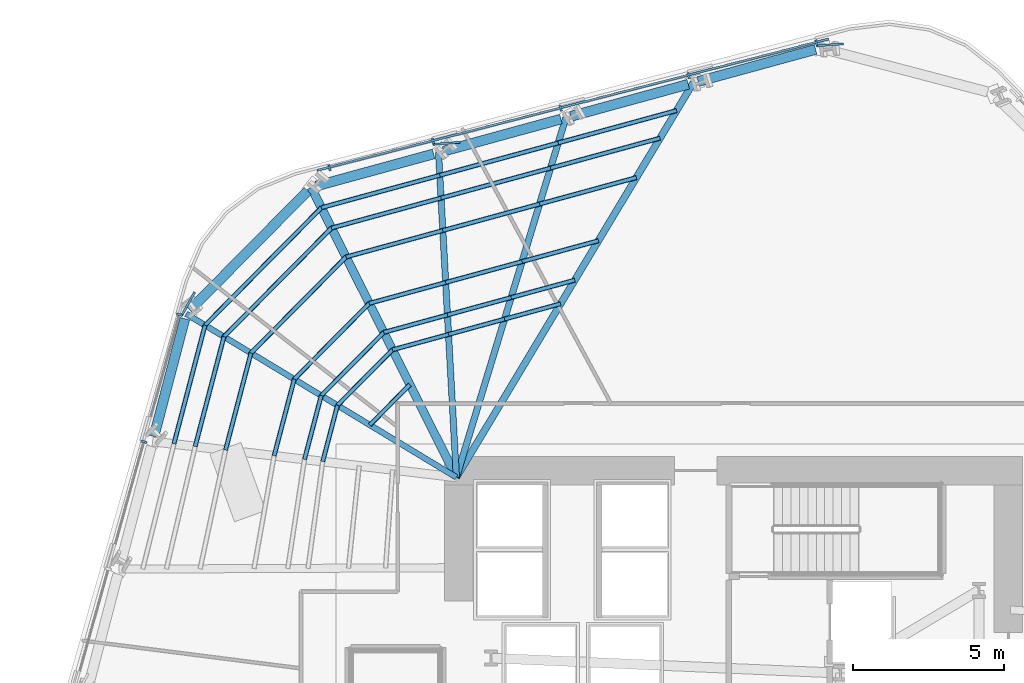
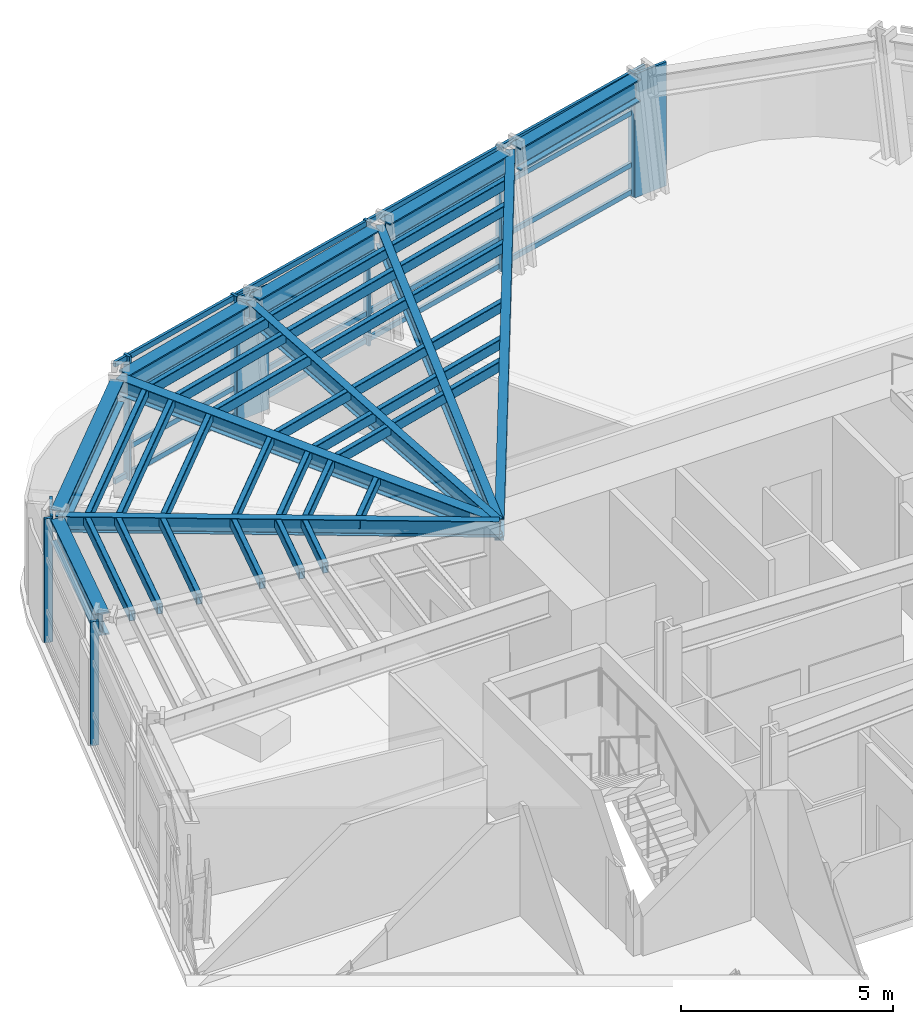
# One storey, part 6 of 17: 45 members, 11 beams, 2 elements without a shape of their own.
"""IFC4 building model written with IfcOpenShell, lengths in metres."""

from ifc_helpers import new_model, si_unit, direction, frame, origin, origin_2d, place, context, subcontext, project, spatial, rectangle, hollow_rectangle, i_section, extrude, material, layer, layer_set, material_profile, profile_set, type_object, element, aggregate, save


model = new_model("IFC4")

# Units and contexts
model_context = context("Model", 3, precision=1e-05, world=origin(), true_north=direction((0.0, 1.0)))
body_context = subcontext(model_context, "Body", "Model", "MODEL_VIEW")
ifc_project = project(units=[si_unit("LENGTHUNIT", "METRE"), si_unit("AREAUNIT", "SQUARE_METRE"), si_unit("VOLUMEUNIT", "CUBIC_METRE"), si_unit("PLANEANGLEUNIT", "RADIAN"), si_unit("MASSUNIT", "GRAM", prefix="KILO")], contexts=[model_context])

# Site, building, storey
site_placement = place(None, origin())
site = spatial("IfcSite", under=ifc_project, at=site_placement, CompositionType="ELEMENT")
building_placement = place(site_placement, origin())
building = spatial("IfcBuilding", under=site, at=building_placement, Name="Valkerne Bourse Tower", CompositionType="ELEMENT")
storey_placement = place(building_placement, frame((0.0, 0.0, 85.800048828125)))
storey = spatial("IfcBuildingStorey", under=building, at=storey_placement, Name="L21", CompositionType="ELEMENT", Elevation=85.800048828125)

# Beams
ifc_material_1 = material(Name="Steel ASTM A992", Category="steel")
ifc_material_profile_1 = material_profile(ifc_material_1, i_section(OverallWidth=0.1904296875, OverallDepth=0.457275390625, WebThickness=0.009033203125, FlangeThickness=0.014404296875, FilletRadius=0.01513671875, at=origin_2d()), Name="W18X50")
ifc_profile_set_1 = profile_set([ifc_material_profile_1], Name="Steel ASTM A992")
beam_type_1 = type_object("IfcBeamType", Name="BM-W18X50", PredefinedType="JOIST", material=ifc_profile_set_1)
beam_1_placement = place(storey_placement, frame((28.626953125, 40.830078125, 3.351318359375), z_axis=(0.855539694205, -0.517737222575, 0.0), x_axis=(0.517737222575, 0.855539694205, 0.0)))
element("IfcBeam", 1, at=beam_1_placement, inside=storey, type_object=beam_type_1, Name="L21 Radial Composite Floor Beam 10", PredefinedType="JOIST", context=body_context, shape_type="SweptSolid", body=[
    extrude(i_section(OverallWidth=0.1904296875, OverallDepth=0.457275390625, WebThickness=0.009033203125, FlangeThickness=0.014404296875, FilletRadius=0.01513671875, at=origin_2d()), origin(), (0.0, 0.0, 1.0), 10.48828125),
])
ifc_material_profile_2 = material_profile(ifc_material_1, i_section(OverallWidth=0.279296875, OverallDepth=0.46240234375, WebThickness=0.0107421875, FlangeThickness=0.017333984375, FilletRadius=0.017822265625, at=origin_2d()), Name="W18X76")
ifc_profile_set_2 = profile_set([ifc_material_profile_2], Name="Steel ASTM A992")
beam_type_2 = type_object("IfcBeamType", Name="BM-W18X76", PredefinedType="BEAM", material=ifc_profile_set_2)
beam_2_placement = place(storey_placement, frame((32.7802734375, 45.027099609375, 3.3486328125), z_axis=(0.447676132845, -0.894195772793, 0.0), x_axis=(0.894195772793, 0.447676132845, 0.0)))
element("IfcBeam", 2, at=beam_2_placement, inside=storey, type_object=beam_type_2, Name="L21 Radial Composite Floor Beam 09", PredefinedType="BEAM", context=body_context, shape_type="SweptSolid", body=[
    extrude(i_section(OverallWidth=0.279296875, OverallDepth=0.46240234375, WebThickness=0.0107421875, FlangeThickness=0.017333984375, FilletRadius=0.017822265625, at=origin_2d()), origin(), (0.0, 0.0, 1.0), 10.766357421875),
])
ifc_material_profile_3 = material_profile(ifc_material_1, i_section(OverallWidth=0.209228515625, OverallDepth=0.533447265625, WebThickness=0.01025390625, FlangeThickness=0.015625, FilletRadius=0.017822265625, at=origin_2d()), Name="W21X62")
ifc_profile_set_3 = profile_set([ifc_material_profile_3], Name="Steel ASTM A992")
beam_type_3 = type_object("IfcBeamType", Name="BM-W21X62", PredefinedType="JOIST", material=ifc_profile_set_3)
beam_3_placement = place(storey_placement, frame((37.0078125, 46.183837890625, 3.313232421875), z_axis=(0.054840261958, -0.998495140533, 0.0), x_axis=(0.998495140533, 0.054840261958, 0.0)))
element("IfcBeam", 3, at=beam_3_placement, inside=storey, type_object=beam_type_3, Name="L21 Radial Composite Floor Beam 08", PredefinedType="JOIST", context=body_context, shape_type="SweptSolid", body=[
    extrude(i_section(OverallWidth=0.209228515625, OverallDepth=0.533447265625, WebThickness=0.01025390625, FlangeThickness=0.015625, FilletRadius=0.017822265625, at=origin_2d()), origin(), (0.0, 0.0, 1.0), 10.80029296875),
])
ifc_material_profile_4 = material_profile(ifc_material_1, i_section(OverallWidth=0.2138671875, OverallDepth=0.548583984375, WebThickness=0.0146484375, FlangeThickness=0.023681640625, FilletRadius=0.017822265625, at=origin_2d()), Name="W21X93")
ifc_profile_set_4 = profile_set([ifc_material_profile_4], Name="Steel ASTM A992")
beam_type_4 = type_object("IfcBeamType", Name="BM-W21X93", PredefinedType="BEAM", material=ifc_profile_set_4)
beam_4_placement = place(storey_placement, frame((41.235595703125, 47.34033203125, 3.3056640625), z_axis=(-0.291268246536, -0.956641421098, 0.0), x_axis=(0.956641421098, -0.291268246536, 0.0)))
element("IfcBeam", 4, at=beam_4_placement, inside=storey, type_object=beam_type_4, Name="L21 Radial Composite Floor Beam 07", PredefinedType="BEAM", context=body_context, shape_type="SweptSolid", body=[
    extrude(i_section(OverallWidth=0.2138671875, OverallDepth=0.548583984375, WebThickness=0.0146484375, FlangeThickness=0.023681640625, FilletRadius=0.017822265625, at=origin_2d()), origin(), (0.0, 0.0, 1.0), 12.481689453125),
])
ifc_material_profile_5 = material_profile(ifc_material_1, i_section(OverallWidth=0.330078125, OverallDepth=0.647705078125, WebThickness=0.0205078125, FlangeThickness=0.037109375, FilletRadius=0.020263671875, at=origin_2d()), Name="W24X192")
ifc_profile_set_5 = profile_set([ifc_material_profile_5], Name="Steel ASTM A992")
beam_type_5 = type_object("IfcBeamType", Name="BM-W24X192", PredefinedType="SPANDREL", material=ifc_profile_set_5)
beam_5_placement = place(storey_placement, frame((49.52685546875, 49.6083984375, 3.256103515625), z_axis=(-0.964568458165, -0.263832692276, 0.0), x_axis=(0.263832692276, -0.964568458165, 0.0)))
element("IfcBeam", 5, at=beam_5_placement, inside=storey, type_object=beam_type_5, Name="L21 Hexagonal Spandrel Ring Beam 05", PredefinedType="SPANDREL", context=body_context, shape_type="SweptSolid", body=[
    extrude(i_section(OverallWidth=0.330078125, OverallDepth=0.647705078125, WebThickness=0.0205078125, FlangeThickness=0.037109375, FilletRadius=0.020263671875, at=origin_2d()), origin(), (0.0, 0.0, 1.0), 4.04296875),
])
beam_6_placement = place(storey_placement, frame((45.29931640625, 48.451904296875, 3.256103515625), z_axis=(-0.964572661227, -0.26381732546, 0.0), x_axis=(0.26381732546, -0.964572661227, 0.0)))
element("IfcBeam", 6, at=beam_6_placement, inside=storey, type_object=beam_type_5, Name="L21 Hexagonal Spandrel Ring Beam 06", PredefinedType="SPANDREL", context=body_context, shape_type="SweptSolid", body=[
    extrude(i_section(OverallWidth=0.330078125, OverallDepth=0.647705078125, WebThickness=0.0205078125, FlangeThickness=0.037109375, FilletRadius=0.020263671875, at=origin_2d()), origin(), (0.0, 0.0, 1.0), 4.043212890625),
])
beam_7_placement = place(storey_placement, frame((41.071533203125, 47.29541015625, 3.256103515625), z_axis=(-0.964568458165, -0.263832692276, 0.0), x_axis=(0.263832692276, -0.964568458165, 0.0)))
element("IfcBeam", 7, at=beam_7_placement, inside=storey, type_object=beam_type_5, Name="L21 Hexagonal Spandrel Ring Beam 07", PredefinedType="SPANDREL", context=body_context, shape_type="SweptSolid", body=[
    extrude(i_section(OverallWidth=0.330078125, OverallDepth=0.647705078125, WebThickness=0.0205078125, FlangeThickness=0.037109375, FilletRadius=0.020263671875, at=origin_2d()), origin(), (0.0, 0.0, 1.0), 4.04296875),
])
beam_8_placement = place(storey_placement, frame((36.843994140625, 46.138916015625, 3.256103515625), z_axis=(-0.964557293882, -0.263873505338, 0.0), x_axis=(0.263873505338, -0.964557293882, 0.0)))
element("IfcBeam", 8, at=beam_8_placement, inside=storey, type_object=beam_type_5, Name="L21 Hexagonal Spandrel Ring Beam 08", PredefinedType="SPANDREL", context=body_context, shape_type="SweptSolid", body=[
    extrude(i_section(OverallWidth=0.330078125, OverallDepth=0.647705078125, WebThickness=0.0205078125, FlangeThickness=0.037109375, FilletRadius=0.020263671875, at=origin_2d()), origin(), (0.0, 0.0, 1.0), 4.043212890625),
])
beam_9_placement = place(storey_placement, frame((32.66064453125, 44.906494140625, 3.256103515625), z_axis=(-0.703367764638, -0.710826130406, 0.0), x_axis=(0.710826130406, -0.703367764638, 0.0)))
element("IfcBeam", 9, at=beam_9_placement, inside=storey, type_object=beam_type_5, Name="L21 Hexagonal Spandrel Ring Beam 09", PredefinedType="SPANDREL", context=body_context, shape_type="SweptSolid", body=[
    extrude(i_section(OverallWidth=0.330078125, OverallDepth=0.647705078125, WebThickness=0.0205078125, FlangeThickness=0.037109375, FilletRadius=0.020263671875, at=origin_2d()), origin(), (0.0, 0.0, 1.0), 5.564697265625),
])
beam_10_placement = place(storey_placement, frame((28.583984375, 40.665771484375, 3.256103515625), z_axis=(-0.253800676893, -0.967256541156, 0.0), x_axis=(0.967256541156, -0.253800676893, 0.0)))
element("IfcBeam", 10, at=beam_10_placement, inside=storey, type_object=beam_type_5, Name="L21 Hexagonal Spandrel Ring Beam 10", PredefinedType="SPANDREL", context=body_context, shape_type="SweptSolid", body=[
    extrude(i_section(OverallWidth=0.330078125, OverallDepth=0.647705078125, WebThickness=0.0205078125, FlangeThickness=0.037109375, FilletRadius=0.020263671875, at=origin_2d()), origin(), (0.0, 0.0, 1.0), 4.04296875),
])
ifc_material_profile_6 = material_profile(ifc_material_1, i_section(OverallWidth=0.228271484375, OverallDepth=0.607177734375, WebThickness=0.01123046875, FlangeThickness=0.017333984375, FilletRadius=0.017822265625, at=origin_2d()), Name="W24X76")
ifc_profile_set_6 = profile_set([ifc_material_profile_6], Name="Steel ASTM A992")
beam_type_6 = type_object("IfcBeamType", Name="BM-W24X76", PredefinedType="JOIST", material=ifc_profile_set_6)
beam_11_placement = place(storey_placement, frame((45.463134765625, 48.496826171875, 3.2763671875), z_axis=(-0.514730764825, -0.85735187627, 0.0), x_axis=(0.85735187627, -0.514730764825, 0.0)))
element("IfcBeam", 11, at=beam_11_placement, inside=storey, type_object=beam_type_6, Name="L21 Radial Composite Floor Beam 06", PredefinedType="JOIST", context=body_context, shape_type="SweptSolid", body=[
    extrude(i_section(OverallWidth=0.228271484375, OverallDepth=0.607177734375, WebThickness=0.01123046875, FlangeThickness=0.017333984375, FilletRadius=0.017822265625, at=origin_2d()), origin(), (0.0, 0.0, 1.0), 15.276123046875),
])

# Curtain wall, members
ifc_material_2 = material(Name="Aluminium AA 6063-T6", Category="aluminium")
ifc_layer = layer(ifc_material_2, 0.22998046875)
ifc_layer_set = layer_set([ifc_layer], Name="Aluminium AA 6063-T6")
curtain_wall_type = type_object("IfcCurtainWallType", Name="CW-02", PredefinedType="NOTDEFINED", material=ifc_layer_set)
curtain_wall_1_placement = place(storey_placement, origin())
curtain_wall_1 = element("IfcCurtainWall", 12, at=curtain_wall_1_placement, inside=storey, type_object=curtain_wall_type, Name="L21 Hexagonal Stick Curtain Wall Face 2", PredefinedType="NOTDEFINED")
ifc_material_profile_7 = material_profile(ifc_material_2, rectangle(XDim=0.074951171875, YDim=0.199951171875, at=origin_2d()), Name="CWM-75X200")
ifc_profile_set_7 = profile_set([ifc_material_profile_7], Name="Aluminium AA 6063-T6")
member_type_1 = type_object("IfcMemberType", Name="CW-MUL-220X75", PredefinedType="MULLION", material=ifc_profile_set_7)
member_1_placement = place(storey_placement, frame((49.554931640625, 49.830078125, 0.0), z_axis=(0.0, 0.0, 1.0), x_axis=(-0.96858358851, -0.248688222617, 0.0)))
member_1 = element("IfcMember", 13, at=member_1_placement, type_object=member_type_1, Name="CW-L21-F2 Jamb Mullion 00A", PredefinedType="MULLION", context=body_context, shape_type="SweptSolid", body=[
    extrude(rectangle(XDim=0.074951171875, YDim=0.199951171875, at=origin_2d()), origin(), (0.0, 0.0, 1.0), 3.579833984375),
])
member_2_placement = place(storey_placement, frame((45.3095703125, 48.739990234375, 0.0), z_axis=(0.0, 0.0, 1.0), x_axis=(-0.96858358851, -0.248688222617, 0.0)))
member_2 = element("IfcMember", 14, at=member_2_placement, type_object=member_type_1, Name="CW-L21-F2 Jamb Mullion 01A", PredefinedType="MULLION", context=body_context, shape_type="SweptSolid", body=[
    extrude(rectangle(XDim=0.074951171875, YDim=0.199951171875, at=origin_2d()), origin(), (0.0, 0.0, 1.0), 3.579833984375),
])
member_3_placement = place(storey_placement, frame((41.064208984375, 47.650146484375, 0.0), z_axis=(0.0, 0.0, 1.0), x_axis=(-0.96858358851, -0.248688222617, 0.0)))
member_3 = element("IfcMember", 15, at=member_3_placement, type_object=member_type_1, Name="CW-L21-F2 Jamb Mullion 02A", PredefinedType="MULLION", context=body_context, shape_type="SweptSolid", body=[
    extrude(rectangle(XDim=0.074951171875, YDim=0.199951171875, at=origin_2d()), origin(), (0.0, 0.0, 1.0), 3.579833984375),
])
member_4_placement = place(storey_placement, frame((36.819091796875, 46.56005859375, 0.0), z_axis=(0.0, 0.0, 1.0), x_axis=(-0.96858358851, -0.248688222617, 0.0)))
member_4 = element("IfcMember", 16, at=member_4_placement, type_object=member_type_1, Name="CW-L21-F2 Jamb Mullion 03A", PredefinedType="MULLION", context=body_context, shape_type="SweptSolid", body=[
    extrude(rectangle(XDim=0.074951171875, YDim=0.199951171875, at=origin_2d()), origin(), (0.0, 0.0, 1.0), 3.579833984375),
])
member_5_placement = place(storey_placement, frame((33.387451171875, 45.678955078125, 0.0), z_axis=(0.0, 0.0, 1.0), x_axis=(-0.96858358851, -0.248688222617, 0.0)))
member_5 = element("IfcMember", 17, at=member_5_placement, type_object=member_type_1, Name="CW-L21-F2 Jamb Mullion 03B", PredefinedType="MULLION", context=body_context, shape_type="SweptSolid", body=[
    extrude(rectangle(XDim=0.074951171875, YDim=0.199951171875, at=origin_2d()), origin(), (0.0, 0.0, 1.0), 3.579833984375),
])

curtain_wall_2_placement = place(storey_placement, origin())
curtain_wall_2 = element("IfcCurtainWall", 18, at=curtain_wall_2_placement, inside=storey, type_object=curtain_wall_type, Name="L21 Hexagonal Stick Curtain Wall Face 3", PredefinedType="NOTDEFINED")
member_6_placement = place(storey_placement, frame((28.406005859375, 40.80078125, 0.0), z_axis=(0.0, 0.0, 1.0), x_axis=(-0.268900369917, -0.963167997318, 0.0)))
member_6 = element("IfcMember", 19, at=member_6_placement, type_object=member_type_1, Name="CW-L21-F3 Jamb Mullion 00A", PredefinedType="MULLION", context=body_context, shape_type="SweptSolid", body=[
    extrude(rectangle(XDim=0.074951171875, YDim=0.199951171875, at=origin_2d()), origin(), (0.0, 0.0, 1.0), 3.579833984375),
])
member_7_placement = place(storey_placement, frame((27.227294921875, 36.579345703125, 0.0), z_axis=(0.0, 0.0, 1.0), x_axis=(-0.268927444827, -0.963160438047, 0.0)))
member_7 = element("IfcMember", 20, at=member_7_placement, type_object=member_type_1, Name="CW-L21-F3 Jamb Mullion 01A", PredefinedType="MULLION", context=body_context, shape_type="SweptSolid", body=[
    extrude(rectangle(XDim=0.074951171875, YDim=0.199951171875, at=origin_2d()), origin(), (0.0, 0.0, 1.0), 3.579833984375),
])
aggregate(curtain_wall_2, [member_6, member_7])

# Member
ifc_material_profile_8 = material_profile(ifc_material_2, rectangle(XDim=0.074951171875, YDim=0.14990234375, at=origin_2d()), Name="CWT-75X150")
ifc_profile_set_8 = profile_set([ifc_material_profile_8], Name="Aluminium AA 6063-T6")
member_type_2 = type_object("IfcMemberType", Name="CW-TRN-180X65", PredefinedType="USERDEFINED", material=ifc_profile_set_8)
member_8_placement = place(storey_placement, frame((49.956787109375, 49.953857421875, 0.119873046875), z_axis=(-0.968585471025, -0.248680890541, 0.0), x_axis=(0.248680890541, -0.968585471025, 0.0)))
member_8 = element("IfcMember", 21, at=member_8_placement, type_object=member_type_2, Name="CW-L21-F2 Continuous Face Transom 1", ObjectType="TRANSOM", PredefinedType="USERDEFINED", context=body_context, shape_type="SweptSolid", body=[
    extrude(rectangle(XDim=0.074951171875, YDim=0.14990234375, at=origin_2d()), origin(), (0.0, 0.0, 1.0), 17.531982421875),
])

member_9_placement = place(storey_placement, frame((49.956787109375, 49.953857421875, 0.89990234375), z_axis=(-0.968585471025, -0.248680890541, 0.0), x_axis=(0.248680890541, -0.968585471025, 0.0)))
member_9 = element("IfcMember", 22, at=member_9_placement, type_object=member_type_2, Name="CW-L21-F2 Continuous Face Transom 2", ObjectType="TRANSOM", PredefinedType="USERDEFINED", context=body_context, shape_type="SweptSolid", body=[
    extrude(rectangle(XDim=0.074951171875, YDim=0.14990234375, at=origin_2d()), origin(), (0.0, 0.0, 1.0), 17.531982421875),
])

member_10_placement = place(storey_placement, frame((49.956787109375, 49.953857421875, 2.39990234375), z_axis=(-0.968585471025, -0.248680890541, 0.0), x_axis=(0.248680890541, -0.968585471025, 0.0)))
member_10 = element("IfcMember", 23, at=member_10_placement, type_object=member_type_2, Name="CW-L21-F2 Continuous Face Transom 3", ObjectType="TRANSOM", PredefinedType="USERDEFINED", context=body_context, shape_type="SweptSolid", body=[
    extrude(rectangle(XDim=0.074951171875, YDim=0.14990234375, at=origin_2d()), origin(), (0.0, 0.0, 1.0), 17.531982421875),
])

member_11_placement = place(storey_placement, frame((49.956787109375, 49.953857421875, 3.5), z_axis=(-0.968585471025, -0.248680890541, 0.0), x_axis=(0.248680890541, -0.968585471025, 0.0)))
member_11 = element("IfcMember", 24, at=member_11_placement, type_object=member_type_2, Name="CW-L21-F2 Continuous Face Transom 4", ObjectType="TRANSOM", PredefinedType="USERDEFINED", context=body_context, shape_type="SweptSolid", body=[
    extrude(rectangle(XDim=0.074951171875, YDim=0.14990234375, at=origin_2d()), origin(), (0.0, 0.0, 1.0), 17.531982421875),
])

aggregate(curtain_wall_1, [member_8, member_9, member_10, member_11, member_1, member_2, member_3, member_4, member_5])

# Members
ifc_material_3 = material(Name="Bronze Anodised Aluminium AA 6063-T6", Category="aluminium")
ifc_material_profile_9 = material_profile(ifc_material_3, rectangle(XDim=0.070068359375, YDim=0.89990234375, at=origin_2d()), Name="FIN-70X900")
ifc_profile_set_9 = profile_set([ifc_material_profile_9], Name="Bronze Anodised Aluminium AA 6063-T6")
member_type_3 = type_object("IfcMemberType", Name="FIN-SOLAR-900", PredefinedType="USERDEFINED", material=ifc_profile_set_9)
for number, where, z_axis, x_axis, name in (
    (25, (50.006591796875, 49.76025390625, 0.00390625), (0.0, 0.0, 1.0), (-0.075781906492, 0.997124416835, 0.0), "L21 Bronze Anodised Solar Fin F2-00"),
    (26, (37.2705078125, 46.490234375, 0.00390625), (0.0, 0.0, 1.0), (-0.075781906492, 0.997124416835, 0.0), "L21 Bronze Anodised Solar Fin F2-03"),
    (27, (28.6923828125, 41.156982421875, 0.00390625), (0.0, 0.0, 1.0), (-0.874084883215, 0.485773215539, 0.0), "L21 Bronze Anodised Solar Fin F3-00"),
):
    element("IfcMember", number, at=place(storey_placement, frame(where, z_axis=z_axis, x_axis=x_axis)), inside=storey, type_object=member_type_3, Name=name, ObjectType="SOLAR_FIN", PredefinedType="USERDEFINED", context=body_context, shape_type="SweptSolid", body=[
        extrude(rectangle(XDim=0.070068359375, YDim=0.89990234375, at=origin_2d()), origin(), (0.0, 0.0, 1.0), 3.572021484375),
    ])
ifc_material_4 = material(Name="Steel ASTM A500 Grade C", Category="steel")
ifc_material_profile_10 = material_profile(ifc_material_4, hollow_rectangle(XDim=0.14990234375, YDim=0.300048828125, WallThickness=0.012451171875, OuterFilletRadius=0.02490234375, at=origin_2d()), Name="HSS300X150X12.5")
ifc_profile_set_10 = profile_set([ifc_material_profile_10], Name="Steel ASTM A500 Grade C")
member_type_4 = type_object("IfcMemberType", Name="MBR-HSS300X150X12.5", PredefinedType="PURLIN", material=ifc_profile_set_10)
member_12_placement = place(storey_placement, frame((36.0576171875, 38.480712890625, 3.419921875), z_axis=(-0.70341473099, -0.710779653779, 0.0), x_axis=(0.710779653779, -0.70341473099, 0.0)))
element("IfcMember", 28, at=member_12_placement, inside=storey, type_object=member_type_4, Name="L21 Secondary Composite Floor Purlin I-09", PredefinedType="PURLIN", context=body_context, shape_type="SweptSolid", body=[
    extrude(hollow_rectangle(XDim=0.14990234375, YDim=0.300048828125, WallThickness=0.012451171875, OuterFilletRadius=0.02490234375, at=origin_2d()), origin(), (0.0, 0.0, 1.0), 1.889404296875),
])
for number, where, z_axis, x_axis, name in (
    (29, (41.059814453125, 41.16259765625, 3.419921875), (-0.964567810699, -0.263835059391, 0.0), (0.263835059391, -0.964567810699, 0.0), "L21 Secondary Composite Floor Purlin K-06"),
    (30, (39.19970703125, 40.65380859375, 3.419921875), (-0.964567810699, -0.263835059391, 0.0), (0.263835059391, -0.964567810699, 0.0), "L21 Secondary Composite Floor Purlin K-07"),
):
    element("IfcMember", number, at=place(storey_placement, frame(where, z_axis=z_axis, x_axis=x_axis)), inside=storey, type_object=member_type_4, Name=name, PredefinedType="PURLIN", context=body_context, shape_type="SweptSolid", body=[
        extrude(hollow_rectangle(XDim=0.14990234375, YDim=0.300048828125, WallThickness=0.012451171875, OuterFilletRadius=0.02490234375, at=origin_2d()), origin(), (0.0, 0.0, 1.0), 1.928466796875),
    ])
member_13_placement = place(storey_placement, frame((37.339599609375, 40.14501953125, 3.419921875), z_axis=(-0.964544404947, -0.26392061474, 0.0), x_axis=(0.26392061474, -0.964544404947, 0.0)))
element("IfcMember", 31, at=member_13_placement, inside=storey, type_object=member_type_4, Name="L21 Secondary Composite Floor Purlin K-08", PredefinedType="PURLIN", context=body_context, shape_type="SweptSolid", body=[
    extrude(hollow_rectangle(XDim=0.14990234375, YDim=0.300048828125, WallThickness=0.012451171875, OuterFilletRadius=0.02490234375, at=origin_2d()), origin(), (0.0, 0.0, 1.0), 1.9287109375),
])
member_14_placement = place(storey_placement, frame((35.479248046875, 39.635986328125, 3.419921875), z_axis=(-0.70338511956, -0.710808957162, 0.0), x_axis=(0.710808957162, -0.70338511956, 0.0)))
element("IfcMember", 32, at=member_14_placement, inside=storey, type_object=member_type_4, Name="L21 Secondary Composite Floor Purlin K-09", PredefinedType="PURLIN", context=body_context, shape_type="SweptSolid", body=[
    extrude(hollow_rectangle(XDim=0.14990234375, YDim=0.300048828125, WallThickness=0.012451171875, OuterFilletRadius=0.02490234375, at=origin_2d()), origin(), (0.0, 0.0, 1.0), 2.597900390625),
])
member_15_placement = place(storey_placement, frame((33.65185546875, 37.789306640625, 3.419921875), z_axis=(-0.253689388069, -0.967285735645, 0.0), x_axis=(0.967285735645, -0.253689388069, 0.0)))
element("IfcMember", 33, at=member_15_placement, inside=storey, type_object=member_type_4, Name="L21 Secondary Composite Floor Purlin K-10", PredefinedType="PURLIN", context=body_context, shape_type="SweptSolid", body=[
    extrude(hollow_rectangle(XDim=0.14990234375, YDim=0.300048828125, WallThickness=0.012451171875, OuterFilletRadius=0.02490234375, at=origin_2d()), origin(), (0.0, 0.0, 1.0), 1.928466796875),
])
for number, where, z_axis, x_axis, name in (
    (34, (41.531494140625, 41.948486328125, 3.419921875), (-0.964544963206, -0.263918574478, 0.0), (0.263918574478, -0.964544963206, 0.0), "L21 Secondary Composite Floor Purlin M-06"),
    (35, (39.417724609375, 41.3701171875, 3.419921875), (-0.964573317889, -0.263814924551, 0.0), (0.263814924551, -0.964573317889, 0.0), "L21 Secondary Composite Floor Purlin M-07"),
    (36, (37.303955078125, 40.7919921875, 3.419921875), (-0.964544963206, -0.263918574478, 0.0), (0.263918574478, -0.964544963206, 0.0), "L21 Secondary Composite Floor Purlin M-08"),
):
    element("IfcMember", number, at=place(storey_placement, frame(where, z_axis=z_axis, x_axis=x_axis)), inside=storey, type_object=member_type_4, Name=name, PredefinedType="PURLIN", context=body_context, shape_type="SweptSolid", body=[
        extrude(hollow_rectangle(XDim=0.14990234375, YDim=0.300048828125, WallThickness=0.012451171875, OuterFilletRadius=0.02490234375, at=origin_2d()), origin(), (0.0, 0.0, 1.0), 2.19140625),
    ])
member_16_placement = place(storey_placement, frame((35.190185546875, 40.213623046875, 3.419921875), z_axis=(-0.703375862072, -0.710818117843, 0.0), x_axis=(0.710818117843, -0.703375862072, 0.0)))
element("IfcMember", 37, at=member_16_placement, inside=storey, type_object=member_type_4, Name="L21 Secondary Composite Floor Purlin M-09", PredefinedType="PURLIN", context=body_context, shape_type="SweptSolid", body=[
    extrude(hollow_rectangle(XDim=0.14990234375, YDim=0.300048828125, WallThickness=0.012451171875, OuterFilletRadius=0.02490234375, at=origin_2d()), origin(), (0.0, 0.0, 1.0), 2.952392578125),
])
member_17_placement = place(storey_placement, frame((33.113525390625, 38.114990234375, 3.419921875), z_axis=(-0.253791293415, -0.96725900326, 0.0), x_axis=(0.96725900326, -0.253791293415, 0.0)))
element("IfcMember", 38, at=member_17_placement, inside=storey, type_object=member_type_4, Name="L21 Secondary Composite Floor Purlin M-10", PredefinedType="PURLIN", context=body_context, shape_type="SweptSolid", body=[
    extrude(hollow_rectangle(XDim=0.14990234375, YDim=0.300048828125, WallThickness=0.012451171875, OuterFilletRadius=0.02490234375, at=origin_2d()), origin(), (0.0, 0.0, 1.0), 2.19140625),
])
for number, where, z_axis, x_axis, name in (
    (39, (43.575927734375, 45.353515625, 3.419921875), (-0.964560563763, -0.263861552397, 0.0), (0.263861552397, -0.964560563763, 0.0), "L21 Secondary Composite Floor Purlin O-06"),
    (40, (40.363037109375, 44.474609375, 3.419921875), (-0.964565666225, -0.263842899355, 0.0), (0.263842899355, -0.964565666225, 0.0), "L21 Secondary Composite Floor Purlin O-07"),
    (41, (37.14990234375, 43.595703125, 3.419921875), (-0.964560563763, -0.263861552397, 0.0), (0.263861552397, -0.964560563763, 0.0), "L21 Secondary Composite Floor Purlin O-08"),
):
    element("IfcMember", number, at=place(storey_placement, frame(where, z_axis=z_axis, x_axis=x_axis)), inside=storey, type_object=member_type_4, Name=name, PredefinedType="PURLIN", context=body_context, shape_type="SweptSolid", body=[
        extrude(hollow_rectangle(XDim=0.14990234375, YDim=0.300048828125, WallThickness=0.012451171875, OuterFilletRadius=0.02490234375, at=origin_2d()), origin(), (0.0, 0.0, 1.0), 3.3310546875),
    ])
member_18_placement = place(storey_placement, frame((33.93701171875, 42.716796875, 3.419921875), z_axis=(-0.703397587858, -0.710796618869, 0.0), x_axis=(0.710796618869, -0.703397587858, 0.0)))
element("IfcMember", 42, at=member_18_placement, inside=storey, type_object=member_type_4, Name="L21 Secondary Composite Floor Purlin O-09", PredefinedType="PURLIN", context=body_context, shape_type="SweptSolid", body=[
    extrude(hollow_rectangle(XDim=0.14990234375, YDim=0.300048828125, WallThickness=0.012451171875, OuterFilletRadius=0.02490234375, at=origin_2d()), origin(), (0.0, 0.0, 1.0), 4.487548828125),
])
member_19_placement = place(storey_placement, frame((30.780517578125, 39.527099609375, 3.419921875), z_axis=(-0.253728426143, -0.967275496313, 0.0), x_axis=(0.967275496313, -0.253728426143, 0.0)))
element("IfcMember", 43, at=member_19_placement, inside=storey, type_object=member_type_4, Name="L21 Secondary Composite Floor Purlin O-10", PredefinedType="PURLIN", context=body_context, shape_type="SweptSolid", body=[
    extrude(hollow_rectangle(XDim=0.14990234375, YDim=0.300048828125, WallThickness=0.012451171875, OuterFilletRadius=0.02490234375, at=origin_2d()), origin(), (0.0, 0.0, 1.0), 3.331298828125),
])
for number, where, z_axis, x_axis, name in (
    (44, (42.31787109375, 43.258056640625, 3.419921875), (-0.964566452504, -0.263840024833, 0.0), (0.263840024833, -0.964566452504, 0.0), "L21 Secondary Composite Floor Purlin Z-06"),
    (45, (39.78125, 42.564208984375, 3.419921875), (-0.964566452504, -0.263840024833, 0.0), (0.263840024833, -0.964566452504, 0.0), "L21 Secondary Composite Floor Purlin Z-07"),
    (46, (37.24462890625, 41.870361328125, 3.419921875), (-0.964542823257, -0.263926395238, 0.0), (0.263926395238, -0.964542823257, 0.0), "L21 Secondary Composite Floor Purlin Z-08"),
):
    element("IfcMember", number, at=place(storey_placement, frame(where, z_axis=z_axis, x_axis=x_axis)), inside=storey, type_object=member_type_4, Name=name, PredefinedType="PURLIN", context=body_context, shape_type="SweptSolid", body=[
        extrude(hollow_rectangle(XDim=0.14990234375, YDim=0.300048828125, WallThickness=0.012451171875, OuterFilletRadius=0.02490234375, at=origin_2d()), origin(), (0.0, 0.0, 1.0), 2.6298828125),
    ])
member_20_placement = place(storey_placement, frame((34.7080078125, 41.17626953125, 3.419921875), z_axis=(-0.703375424574, -0.71081855076, 0.0), x_axis=(0.71081855076, -0.703375424574, 0.0)))
element("IfcMember", 47, at=member_20_placement, inside=storey, type_object=member_type_4, Name="L21 Secondary Composite Floor Purlin Z-09", PredefinedType="PURLIN", context=body_context, shape_type="SweptSolid", body=[
    extrude(hollow_rectangle(XDim=0.14990234375, YDim=0.300048828125, WallThickness=0.012451171875, OuterFilletRadius=0.02490234375, at=origin_2d()), origin(), (0.0, 0.0, 1.0), 3.54248046875),
])
member_21_placement = place(storey_placement, frame((32.21630859375, 38.658203125, 3.419921875), z_axis=(-0.253812362087, -0.967253474975, 0.0), x_axis=(0.967253474975, -0.253812362087, 0.0)))
element("IfcMember", 48, at=member_21_placement, inside=storey, type_object=member_type_4, Name="L21 Secondary Composite Floor Purlin Z-10", PredefinedType="PURLIN", context=body_context, shape_type="SweptSolid", body=[
    extrude(hollow_rectangle(XDim=0.14990234375, YDim=0.300048828125, WallThickness=0.012451171875, OuterFilletRadius=0.02490234375, at=origin_2d()), origin(), (0.0, 0.0, 1.0), 2.6298828125),
])
for number, where, z_axis, x_axis, name in (
    (49, (44.3623046875, 46.663330078125, 3.419921875), (-0.964557256729, -0.263873641144, 0.0), (0.263873641144, -0.964557256729, 0.0), "L21 Secondary Composite Floor Purlin T-06"),
    (50, (40.7265625, 45.668701171875, 3.419921875), (-0.964557256729, -0.263873641144, 0.0), (0.263873641144, -0.964557256729, 0.0), "L21 Secondary Composite Floor Purlin T-07"),
    (51, (37.0908203125, 44.674072265625, 3.419921875), (-0.964557256729, -0.263873641144, 0.0), (0.263873641144, -0.964557256729, 0.0), "L21 Secondary Composite Floor Purlin T-08"),
):
    element("IfcMember", number, at=place(storey_placement, frame(where, z_axis=z_axis, x_axis=x_axis)), inside=storey, type_object=member_type_4, Name=name, PredefinedType="PURLIN", context=body_context, shape_type="SweptSolid", body=[
        extrude(hollow_rectangle(XDim=0.14990234375, YDim=0.300048828125, WallThickness=0.012451171875, OuterFilletRadius=0.02490234375, at=origin_2d()), origin(), (0.0, 0.0, 1.0), 3.769287109375),
    ])
member_22_placement = place(storey_placement, frame((33.455078125, 43.679443359375, 3.419921875), z_axis=(-0.703395010942, -0.710799168952, 0.0), x_axis=(0.710799168952, -0.703395010942, 0.0)))
element("IfcMember", 52, at=member_22_placement, inside=storey, type_object=member_type_4, Name="L21 Secondary Composite Floor Purlin T-09", PredefinedType="PURLIN", context=body_context, shape_type="SweptSolid", body=[
    extrude(hollow_rectangle(XDim=0.14990234375, YDim=0.300048828125, WallThickness=0.012451171875, OuterFilletRadius=0.02490234375, at=origin_2d()), origin(), (0.0, 0.0, 1.0), 5.077880859375),
])
member_23_placement = place(storey_placement, frame((29.88330078125, 40.070068359375, 3.419921875), z_axis=(-0.253766334003, -0.967265551814, 0.0), x_axis=(0.967265551814, -0.253766334003, 0.0)))
element("IfcMember", 53, at=member_23_placement, inside=storey, type_object=member_type_4, Name="L21 Secondary Composite Floor Purlin T-10", PredefinedType="PURLIN", context=body_context, shape_type="SweptSolid", body=[
    extrude(hollow_rectangle(XDim=0.14990234375, YDim=0.300048828125, WallThickness=0.012451171875, OuterFilletRadius=0.02490234375, at=origin_2d()), origin(), (0.0, 0.0, 1.0), 3.769287109375),
])
member_24_placement = place(storey_placement, frame((44.912841796875, 47.580078125, 3.419921875), z_axis=(-0.964554818434, -0.263882553867, 0.0), x_axis=(0.263882553867, -0.964554818434, 0.0)))
element("IfcMember", 54, at=member_24_placement, inside=storey, type_object=member_type_4, Name="L21 Secondary Composite Floor Purlin U-06", PredefinedType="PURLIN", context=body_context, shape_type="SweptSolid", body=[
    extrude(hollow_rectangle(XDim=0.14990234375, YDim=0.300048828125, WallThickness=0.012451171875, OuterFilletRadius=0.02490234375, at=origin_2d()), origin(), (0.0, 0.0, 1.0), 4.076416015625),
])
for number, where, z_axis, x_axis, name in (
    (55, (40.98095703125, 46.50439453125, 3.419921875), (-0.964565892075, -0.263842073683, 0.0), (0.263842073683, -0.964565892075, 0.0), "L21 Secondary Composite Floor Purlin U-07"),
    (56, (37.04931640625, 45.428955078125, 3.419921875), (-0.964550647578, -0.263897798884, 0.0), (0.263897798884, -0.964550647578, 0.0), "L21 Secondary Composite Floor Purlin U-08"),
):
    element("IfcMember", number, at=place(storey_placement, frame(where, z_axis=z_axis, x_axis=x_axis)), inside=storey, type_object=member_type_4, Name=name, PredefinedType="PURLIN", context=body_context, shape_type="SweptSolid", body=[
        extrude(hollow_rectangle(XDim=0.14990234375, YDim=0.300048828125, WallThickness=0.012451171875, OuterFilletRadius=0.02490234375, at=origin_2d()), origin(), (0.0, 0.0, 1.0), 4.076171875),
    ])
member_25_placement = place(storey_placement, frame((33.11767578125, 44.353271484375, 3.419921875), z_axis=(-0.703406944278, -0.710787359723, 0.0), x_axis=(0.710787359723, -0.703406944278, 0.0)))
element("IfcMember", 57, at=member_25_placement, inside=storey, type_object=member_type_4, Name="L21 Secondary Composite Floor Purlin U-09", PredefinedType="PURLIN", context=body_context, shape_type="SweptSolid", body=[
    extrude(hollow_rectangle(XDim=0.14990234375, YDim=0.300048828125, WallThickness=0.012451171875, OuterFilletRadius=0.02490234375, at=origin_2d()), origin(), (0.0, 0.0, 1.0), 5.4912109375),
])
member_26_placement = place(storey_placement, frame((29.255126953125, 40.4501953125, 3.419921875), z_axis=(-0.253765050743, -0.967265888482, 0.0), x_axis=(0.967265888482, -0.253765050743, 0.0)))
element("IfcMember", 58, at=member_26_placement, inside=storey, type_object=member_type_4, Name="L21 Secondary Composite Floor Purlin U-10", PredefinedType="PURLIN", context=body_context, shape_type="SweptSolid", body=[
    extrude(hollow_rectangle(XDim=0.14990234375, YDim=0.300048828125, WallThickness=0.012451171875, OuterFilletRadius=0.02490234375, at=origin_2d()), origin(), (0.0, 0.0, 1.0), 4.076416015625),
])

save(model, "model.ifc")
